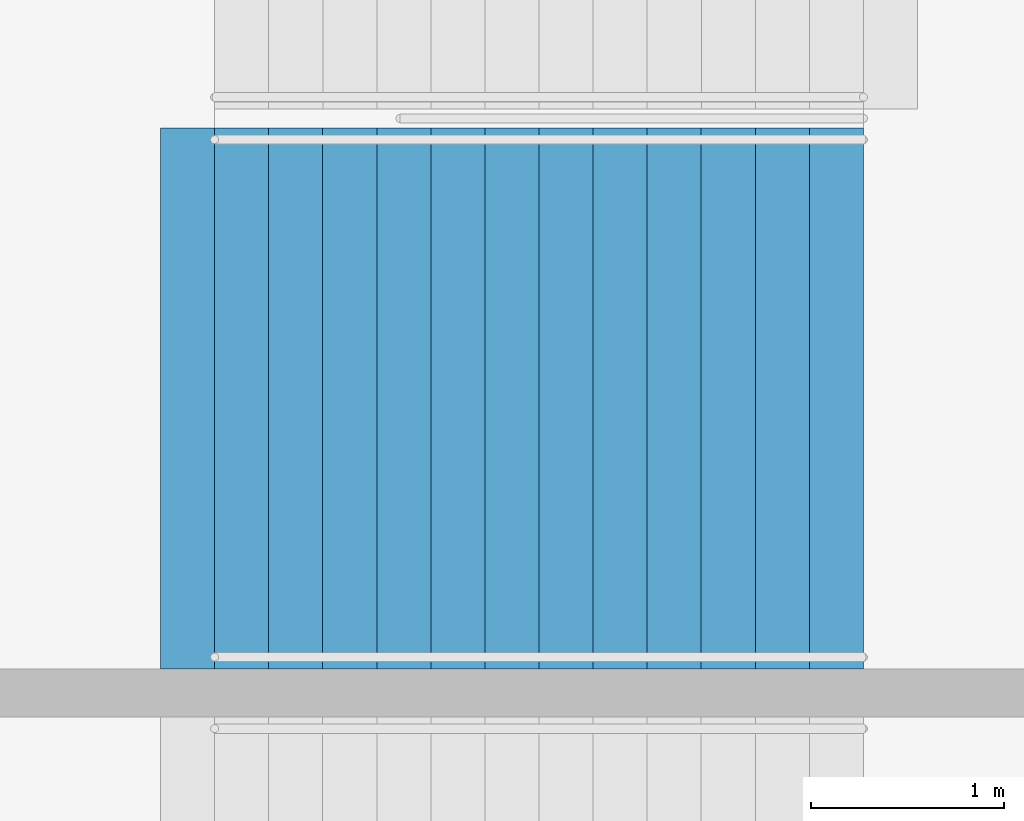
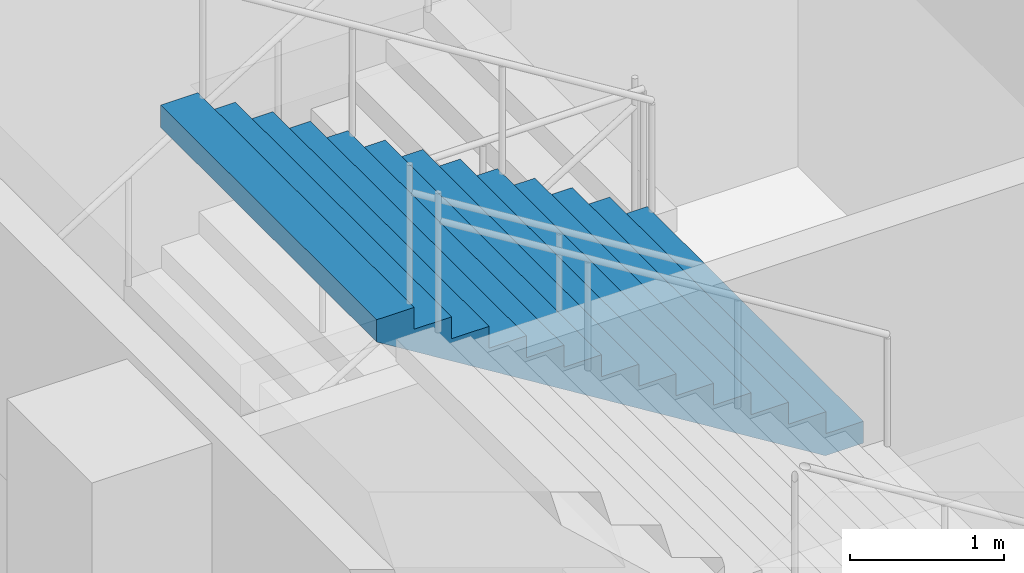
# One storey, part 96 of 175: 1 stair flight, 1 element without a shape of its own.
"""IFC4 building model written with IfcOpenShell, lengths in metres."""

from ifc_helpers import new_model, si_unit, direction, frame, origin, place, context, subcontext, project, spatial, faceted_brep, material, type_object, element, aggregate, save


model = new_model("IFC4")

# Units and contexts
model_context = context("Model", 3, precision=1e-05, world=origin(), true_north=direction((0.0, 1.0)))
body_context = subcontext(model_context, "Body", "Model", "MODEL_VIEW")
ifc_project = project(units=[si_unit("LENGTHUNIT", "METRE"), si_unit("AREAUNIT", "SQUARE_METRE"), si_unit("VOLUMEUNIT", "CUBIC_METRE"), si_unit("PLANEANGLEUNIT", "RADIAN"), si_unit("MASSUNIT", "GRAM", prefix="KILO")], contexts=[model_context])

# Site, building, storey
site_placement = place(None, origin())
site = spatial("IfcSite", under=ifc_project, at=site_placement, CompositionType="ELEMENT")
building_placement = place(site_placement, origin())
building = spatial("IfcBuilding", under=site, at=building_placement, Name="Ogive Plaza Stadium", CompositionType="ELEMENT")
storey_placement = place(building_placement, origin())
storey = spatial("IfcBuildingStorey", under=building, at=storey_placement, Name="L00", CompositionType="ELEMENT", Elevation=0.0)

# Stair, stair flight
ifc_material_1 = material(Name="Concrete C40/50", Category="concrete")
stair_type = type_object("IfcStairType", Name="Exit stair", PredefinedType="STRAIGHT_RUN_STAIR", material=ifc_material_1)
stair_placement = place(storey_placement, origin())
stair = element("IfcStair", 1, at=stair_placement, inside=storey, type_object=stair_type, Name="Exit stair ST08B L00 to L01", PredefinedType="STRAIGHT_RUN_STAIR")
ifc_material_2 = material(Name="Concrete C40/50", Category="concrete")
stair_flight_type = type_object("IfcStairFlightType", Name="Exit stair flight", PredefinedType="STRAIGHT", material=ifc_material_2)
stair_flight_placement = place(storey_placement, frame((79.7099609375, -50.97509765625, 2.25), z_axis=(0.0, 0.0, 1.0), x_axis=(-1.0, 0.0, 0.0)))
stair_flight = element("IfcStairFlight", 2, at=stair_flight_placement, type_object=stair_flight_type, Name="ST08B flight 2", NumberOfRisers=13, NumberOfTreads=12, PredefinedType="STRAIGHT", RiserHeight=0.173076923, TreadLength=0.28, context=body_context, shape_type="Brep", body=[
    faceted_brep([(0.28515625, -1.39990234375, 0.0), (3.639892578125, -1.39990234375, 2.07373046875), (3.639892578125, -1.39990234375, 2.25), (3.360107421875, -1.39990234375, 2.25), (3.360107421875, -1.39990234375, 2.076904296875), (3.080078125, -1.39990234375, 2.076904296875), (3.080078125, -1.39990234375, 1.90380859375), (2.800048828125, -1.39990234375, 1.90380859375), (2.800048828125, -1.39990234375, 1.730712890625), (2.52001953125, -1.39990234375, 1.730712890625), (2.52001953125, -1.39990234375, 1.5576171875), (2.239990234375, -1.39990234375, 1.5576171875), (2.239990234375, -1.39990234375, 1.384521484375), (1.9599609375, -1.39990234375, 1.384521484375), (1.9599609375, -1.39990234375, 1.21142578125), (1.679931640625, -1.39990234375, 1.21142578125), (1.679931640625, -1.39990234375, 1.03857421875), (1.39990234375, -1.39990234375, 1.03857421875), (1.39990234375, -1.39990234375, 0.865478515625), (1.1201171875, -1.39990234375, 0.865478515625), (1.1201171875, -1.39990234375, 0.6923828125), (0.840087890625, -1.39990234375, 0.6923828125), (0.840087890625, -1.39990234375, 0.519287109375), (0.56005859375, -1.39990234375, 0.519287109375), (0.56005859375, -1.39990234375, 0.34619140625), (0.280029296875, -1.39990234375, 0.34619140625), (0.280029296875, -1.39990234375, 0.173095703125), (0.0, -1.39990234375, 0.173095703125), (0.0, -1.39990234375, 0.0), (0.0, 1.39990234375, 0.0), (0.0, 1.39990234375, 0.173095703125), (0.280029296875, 1.39990234375, 0.173095703125), (0.280029296875, 1.39990234375, 0.34619140625), (0.56005859375, 1.39990234375, 0.34619140625), (0.56005859375, 1.39990234375, 0.519287109375), (0.840087890625, 1.39990234375, 0.519287109375), (0.840087890625, 1.39990234375, 0.6923828125), (1.1201171875, 1.39990234375, 0.6923828125), (1.1201171875, 1.39990234375, 0.865478515625), (1.39990234375, 1.39990234375, 0.865478515625), (1.39990234375, 1.39990234375, 1.03857421875), (1.679931640625, 1.39990234375, 1.03857421875), (1.679931640625, 1.39990234375, 1.21142578125), (1.9599609375, 1.39990234375, 1.21142578125), (1.9599609375, 1.39990234375, 1.384521484375), (2.239990234375, 1.39990234375, 1.384521484375), (2.239990234375, 1.39990234375, 1.5576171875), (2.52001953125, 1.39990234375, 1.5576171875), (2.52001953125, 1.39990234375, 1.730712890625), (2.800048828125, 1.39990234375, 1.730712890625), (2.800048828125, 1.39990234375, 1.90380859375), (3.080078125, 1.39990234375, 1.90380859375), (3.080078125, 1.39990234375, 2.076904296875), (3.360107421875, 1.39990234375, 2.076904296875), (3.360107421875, 1.39990234375, 2.25), (3.639892578125, 1.39990234375, 2.25), (3.639892578125, 1.39990234375, 2.07373046875), (0.28515625, 1.39990234375, 0.0), (0.28515625, -1.0888671875, 0.0), (3.639892578125, -1.0888671875, 2.07373046875), (0.28515625, -0.77783203125, 0.0), (3.639892578125, -0.77783203125, 2.07373046875), (0.28515625, -0.466796875, 0.0), (3.639892578125, -0.466796875, 2.07373046875), (0.28515625, -0.155517578125, 0.0), (3.639892578125, -0.155517578125, 2.07373046875), (0.28515625, 0.155517578125, 0.0), (3.639892578125, 0.155517578125, 2.07373046875), (0.28515625, 0.466796875, 0.0), (3.639892578125, 0.466796875, 2.07373046875), (0.28515625, 0.77783203125, 0.0), (3.639892578125, 0.77783203125, 2.07373046875), (0.28515625, 1.0888671875, 0.0), (3.639892578125, 1.0888671875, 2.07373046875), (3.639892578125, -1.0888671875, 2.25), (3.639892578125, -0.77783203125, 2.25), (3.639892578125, -0.466796875, 2.25), (3.639892578125, -0.155517578125, 2.25), (3.639892578125, 0.155517578125, 2.25), (3.639892578125, 0.466796875, 2.25), (3.639892578125, 0.77783203125, 2.25), (3.639892578125, 1.0888671875, 2.25), (3.360107421875, -1.0888671875, 2.25), (3.360107421875, -0.77783203125, 2.25), (3.360107421875, -0.466796875, 2.25), (3.360107421875, -0.155517578125, 2.25), (3.360107421875, 0.155517578125, 2.25), (3.360107421875, 0.466796875, 2.25), (3.360107421875, 0.77783203125, 2.25), (3.360107421875, 1.0888671875, 2.25), (3.360107421875, -1.0888671875, 2.076904296875), (3.360107421875, -0.77783203125, 2.076904296875), (3.360107421875, -0.466796875, 2.076904296875), (3.360107421875, -0.155517578125, 2.076904296875), (3.360107421875, 0.155517578125, 2.076904296875), (3.360107421875, 0.466796875, 2.076904296875), (3.360107421875, 0.77783203125, 2.076904296875), (3.360107421875, 1.0888671875, 2.076904296875), (3.080078125, -1.0888671875, 2.076904296875), (3.080078125, -0.77783203125, 2.076904296875), (3.080078125, -0.466796875, 2.076904296875), (3.080078125, -0.155517578125, 2.076904296875), (3.080078125, 0.155517578125, 2.076904296875), (3.080078125, 0.466796875, 2.076904296875), (3.080078125, 0.77783203125, 2.076904296875), (3.080078125, 1.0888671875, 2.076904296875), (3.080078125, -1.0888671875, 1.90380859375), (3.080078125, -0.77783203125, 1.90380859375), (3.080078125, -0.466796875, 1.90380859375), (3.080078125, -0.155517578125, 1.90380859375), (3.080078125, 0.155517578125, 1.90380859375), (3.080078125, 0.466796875, 1.90380859375), (3.080078125, 0.77783203125, 1.90380859375), (3.080078125, 1.0888671875, 1.90380859375), (2.800048828125, -1.0888671875, 1.90380859375), (2.800048828125, -0.77783203125, 1.90380859375), (2.800048828125, -0.466796875, 1.90380859375), (2.800048828125, -0.155517578125, 1.90380859375), (2.800048828125, 0.155517578125, 1.90380859375), (2.800048828125, 0.466796875, 1.90380859375), (2.800048828125, 0.77783203125, 1.90380859375), (2.800048828125, 1.0888671875, 1.90380859375), (2.800048828125, -1.0888671875, 1.730712890625), (2.800048828125, -0.77783203125, 1.730712890625), (2.800048828125, -0.466796875, 1.730712890625), (2.800048828125, -0.155517578125, 1.730712890625), (2.800048828125, 0.155517578125, 1.730712890625), (2.800048828125, 0.466796875, 1.730712890625), (2.800048828125, 0.77783203125, 1.730712890625), (2.800048828125, 1.0888671875, 1.730712890625), (2.52001953125, -1.0888671875, 1.730712890625), (2.52001953125, -0.77783203125, 1.730712890625), (2.52001953125, -0.466796875, 1.730712890625), (2.52001953125, -0.155517578125, 1.730712890625), (2.52001953125, 0.155517578125, 1.730712890625), (2.52001953125, 0.466796875, 1.730712890625), (2.52001953125, 0.77783203125, 1.730712890625), (2.52001953125, 1.0888671875, 1.730712890625), (2.52001953125, -1.0888671875, 1.5576171875), (2.52001953125, -0.77783203125, 1.5576171875), (2.52001953125, -0.466796875, 1.5576171875), (2.52001953125, -0.155517578125, 1.5576171875), (2.52001953125, 0.155517578125, 1.5576171875), (2.52001953125, 0.466796875, 1.5576171875), (2.52001953125, 0.77783203125, 1.5576171875), (2.52001953125, 1.0888671875, 1.5576171875), (2.239990234375, -1.0888671875, 1.5576171875), (2.239990234375, -0.77783203125, 1.5576171875), (2.239990234375, -0.466796875, 1.5576171875), (2.239990234375, -0.155517578125, 1.5576171875), (2.239990234375, 0.155517578125, 1.5576171875), (2.239990234375, 0.466796875, 1.5576171875), (2.239990234375, 0.77783203125, 1.5576171875), (2.239990234375, 1.0888671875, 1.5576171875), (2.239990234375, -1.0888671875, 1.384521484375), (2.239990234375, -0.77783203125, 1.384521484375), (2.239990234375, -0.466796875, 1.384521484375), (2.239990234375, -0.155517578125, 1.384521484375), (2.239990234375, 0.155517578125, 1.384521484375), (2.239990234375, 0.466796875, 1.384521484375), (2.239990234375, 0.77783203125, 1.384521484375), (2.239990234375, 1.0888671875, 1.384521484375), (1.9599609375, -1.0888671875, 1.384521484375), (1.9599609375, -0.77783203125, 1.384521484375), (1.9599609375, -0.466796875, 1.384521484375), (1.9599609375, -0.155517578125, 1.384521484375), (1.9599609375, 0.155517578125, 1.384521484375), (1.9599609375, 0.466796875, 1.384521484375), (1.9599609375, 0.77783203125, 1.384521484375), (1.9599609375, 1.0888671875, 1.384521484375), (1.9599609375, -1.0888671875, 1.21142578125), (1.9599609375, -0.77783203125, 1.21142578125), (1.9599609375, -0.466796875, 1.21142578125), (1.9599609375, -0.155517578125, 1.21142578125), (1.9599609375, 0.155517578125, 1.21142578125), (1.9599609375, 0.466796875, 1.21142578125), (1.9599609375, 0.77783203125, 1.21142578125), (1.9599609375, 1.0888671875, 1.21142578125), (1.679931640625, -1.0888671875, 1.21142578125), (1.679931640625, -0.77783203125, 1.21142578125), (1.679931640625, -0.466796875, 1.21142578125), (1.679931640625, -0.155517578125, 1.21142578125), (1.679931640625, 0.155517578125, 1.21142578125), (1.679931640625, 0.466796875, 1.21142578125), (1.679931640625, 0.77783203125, 1.21142578125), (1.679931640625, 1.0888671875, 1.21142578125), (1.679931640625, -1.0888671875, 1.03857421875), (1.679931640625, -0.77783203125, 1.03857421875), (1.679931640625, -0.466796875, 1.03857421875), (1.679931640625, -0.155517578125, 1.03857421875), (1.679931640625, 0.155517578125, 1.03857421875), (1.679931640625, 0.466796875, 1.03857421875), (1.679931640625, 0.77783203125, 1.03857421875), (1.679931640625, 1.0888671875, 1.03857421875), (1.39990234375, -1.0888671875, 1.03857421875), (1.39990234375, -0.77783203125, 1.03857421875), (1.39990234375, -0.466796875, 1.03857421875), (1.39990234375, -0.155517578125, 1.03857421875), (1.39990234375, 0.155517578125, 1.03857421875), (1.39990234375, 0.466796875, 1.03857421875), (1.39990234375, 0.77783203125, 1.03857421875), (1.39990234375, 1.0888671875, 1.03857421875), (1.39990234375, -1.0888671875, 0.865478515625), (1.39990234375, -0.77783203125, 0.865478515625), (1.39990234375, -0.466796875, 0.865478515625), (1.39990234375, -0.155517578125, 0.865478515625), (1.39990234375, 0.155517578125, 0.865478515625), (1.39990234375, 0.466796875, 0.865478515625), (1.39990234375, 0.77783203125, 0.865478515625), (1.39990234375, 1.0888671875, 0.865478515625), (1.1201171875, -1.0888671875, 0.865478515625), (1.1201171875, -0.77783203125, 0.865478515625), (1.1201171875, -0.466796875, 0.865478515625), (1.1201171875, -0.155517578125, 0.865478515625), (1.1201171875, 0.155517578125, 0.865478515625), (1.1201171875, 0.466796875, 0.865478515625), (1.1201171875, 0.77783203125, 0.865478515625), (1.1201171875, 1.0888671875, 0.865478515625), (1.1201171875, -1.0888671875, 0.6923828125), (1.1201171875, -0.77783203125, 0.6923828125), (1.1201171875, -0.466796875, 0.6923828125), (1.1201171875, -0.155517578125, 0.6923828125), (1.1201171875, 0.155517578125, 0.6923828125), (1.1201171875, 0.466796875, 0.6923828125), (1.1201171875, 0.77783203125, 0.6923828125), (1.1201171875, 1.0888671875, 0.6923828125), (0.840087890625, -1.0888671875, 0.6923828125), (0.840087890625, -0.77783203125, 0.6923828125), (0.840087890625, -0.466796875, 0.6923828125), (0.840087890625, -0.155517578125, 0.6923828125), (0.840087890625, 0.155517578125, 0.6923828125), (0.840087890625, 0.466796875, 0.6923828125), (0.840087890625, 0.77783203125, 0.6923828125), (0.840087890625, 1.0888671875, 0.6923828125), (0.840087890625, -1.0888671875, 0.519287109375), (0.840087890625, -0.77783203125, 0.519287109375), (0.840087890625, -0.466796875, 0.519287109375), (0.840087890625, -0.155517578125, 0.519287109375), (0.840087890625, 0.155517578125, 0.519287109375), (0.840087890625, 0.466796875, 0.519287109375), (0.840087890625, 0.77783203125, 0.519287109375), (0.840087890625, 1.0888671875, 0.519287109375), (0.56005859375, -1.0888671875, 0.519287109375), (0.56005859375, -0.77783203125, 0.519287109375), (0.56005859375, -0.466796875, 0.519287109375), (0.56005859375, -0.155517578125, 0.519287109375), (0.56005859375, 0.155517578125, 0.519287109375), (0.56005859375, 0.466796875, 0.519287109375), (0.56005859375, 0.77783203125, 0.519287109375), (0.56005859375, 1.0888671875, 0.519287109375), (0.56005859375, -1.0888671875, 0.34619140625), (0.56005859375, -0.77783203125, 0.34619140625), (0.56005859375, -0.466796875, 0.34619140625), (0.56005859375, -0.155517578125, 0.34619140625), (0.56005859375, 0.155517578125, 0.34619140625), (0.56005859375, 0.466796875, 0.34619140625), (0.56005859375, 0.77783203125, 0.34619140625), (0.56005859375, 1.0888671875, 0.34619140625), (0.280029296875, -1.0888671875, 0.34619140625), (0.280029296875, -0.77783203125, 0.34619140625), (0.280029296875, -0.466796875, 0.34619140625), (0.280029296875, -0.155517578125, 0.34619140625), (0.280029296875, 0.155517578125, 0.34619140625), (0.280029296875, 0.466796875, 0.34619140625), (0.280029296875, 0.77783203125, 0.34619140625), (0.280029296875, 1.0888671875, 0.34619140625), (0.280029296875, -1.0888671875, 0.173095703125), (0.280029296875, -0.77783203125, 0.173095703125), (0.280029296875, -0.466796875, 0.173095703125), (0.280029296875, -0.155517578125, 0.173095703125), (0.280029296875, 0.155517578125, 0.173095703125), (0.280029296875, 0.466796875, 0.173095703125), (0.280029296875, 0.77783203125, 0.173095703125), (0.280029296875, 1.0888671875, 0.173095703125), (0.0, -1.0888671875, 0.173095703125), (0.0, -0.77783203125, 0.173095703125), (0.0, -0.466796875, 0.173095703125), (0.0, -0.155517578125, 0.173095703125), (0.0, 0.155517578125, 0.173095703125), (0.0, 0.466796875, 0.173095703125), (0.0, 0.77783203125, 0.173095703125), (0.0, 1.0888671875, 0.173095703125), (0.0, -1.0888671875, 0.0), (0.0, -0.77783203125, 0.0), (0.0, -0.466796875, 0.0), (0.0, -0.155517578125, 0.0), (0.0, 0.155517578125, 0.0), (0.0, 0.466796875, 0.0), (0.0, 0.77783203125, 0.0), (0.0, 1.0888671875, 0.0)], [[[0, 1, 2, 3, 4, 5, 6, 7, 8, 9, 10, 11, 12, 13, 14, 15, 16, 17, 18, 19, 20, 21, 22, 23, 24, 25, 26, 27, 28]], [[29, 30, 31, 32, 33, 34, 35, 36, 37, 38, 39, 40, 41, 42, 43, 44, 45, 46, 47, 48, 49, 50, 51, 52, 53, 54, 55, 56, 57]], [[0, 58, 59, 1]], [[58, 60, 61, 59]], [[60, 62, 63, 61]], [[62, 64, 65, 63]], [[64, 66, 67, 65]], [[66, 68, 69, 67]], [[68, 70, 71, 69]], [[70, 72, 73, 71]], [[72, 57, 56, 73]], [[1, 59, 74, 2]], [[59, 61, 75, 74]], [[61, 63, 76, 75]], [[63, 65, 77, 76]], [[65, 67, 78, 77]], [[67, 69, 79, 78]], [[69, 71, 80, 79]], [[71, 73, 81, 80]], [[73, 56, 55, 81]], [[2, 74, 82, 3]], [[74, 75, 83, 82]], [[75, 76, 84, 83]], [[76, 77, 85, 84]], [[77, 78, 86, 85]], [[78, 79, 87, 86]], [[79, 80, 88, 87]], [[80, 81, 89, 88]], [[81, 55, 54, 89]], [[3, 82, 90, 4]], [[82, 83, 91, 90]], [[83, 84, 92, 91]], [[84, 85, 93, 92]], [[85, 86, 94, 93]], [[86, 87, 95, 94]], [[87, 88, 96, 95]], [[88, 89, 97, 96]], [[89, 54, 53, 97]], [[4, 90, 98, 5]], [[90, 91, 99, 98]], [[91, 92, 100, 99]], [[92, 93, 101, 100]], [[93, 94, 102, 101]], [[94, 95, 103, 102]], [[95, 96, 104, 103]], [[96, 97, 105, 104]], [[97, 53, 52, 105]], [[5, 98, 106, 6]], [[98, 99, 107, 106]], [[99, 100, 108, 107]], [[100, 101, 109, 108]], [[101, 102, 110, 109]], [[102, 103, 111, 110]], [[103, 104, 112, 111]], [[104, 105, 113, 112]], [[105, 52, 51, 113]], [[6, 106, 114, 7]], [[106, 107, 115, 114]], [[107, 108, 116, 115]], [[108, 109, 117, 116]], [[109, 110, 118, 117]], [[110, 111, 119, 118]], [[111, 112, 120, 119]], [[112, 113, 121, 120]], [[113, 51, 50, 121]], [[7, 114, 122, 8]], [[114, 115, 123, 122]], [[115, 116, 124, 123]], [[116, 117, 125, 124]], [[117, 118, 126, 125]], [[118, 119, 127, 126]], [[119, 120, 128, 127]], [[120, 121, 129, 128]], [[121, 50, 49, 129]], [[8, 122, 130, 9]], [[122, 123, 131, 130]], [[123, 124, 132, 131]], [[124, 125, 133, 132]], [[125, 126, 134, 133]], [[126, 127, 135, 134]], [[127, 128, 136, 135]], [[128, 129, 137, 136]], [[129, 49, 48, 137]], [[9, 130, 138, 10]], [[130, 131, 139, 138]], [[131, 132, 140, 139]], [[132, 133, 141, 140]], [[133, 134, 142, 141]], [[134, 135, 143, 142]], [[135, 136, 144, 143]], [[136, 137, 145, 144]], [[137, 48, 47, 145]], [[10, 138, 146, 11]], [[138, 139, 147, 146]], [[139, 140, 148, 147]], [[140, 141, 149, 148]], [[141, 142, 150, 149]], [[142, 143, 151, 150]], [[143, 144, 152, 151]], [[144, 145, 153, 152]], [[145, 47, 46, 153]], [[11, 146, 154, 12]], [[146, 147, 155, 154]], [[147, 148, 156, 155]], [[148, 149, 157, 156]], [[149, 150, 158, 157]], [[150, 151, 159, 158]], [[151, 152, 160, 159]], [[152, 153, 161, 160]], [[153, 46, 45, 161]], [[12, 154, 162, 13]], [[154, 155, 163, 162]], [[155, 156, 164, 163]], [[156, 157, 165, 164]], [[157, 158, 166, 165]], [[158, 159, 167, 166]], [[159, 160, 168, 167]], [[160, 161, 169, 168]], [[161, 45, 44, 169]], [[13, 162, 170, 14]], [[162, 163, 171, 170]], [[163, 164, 172, 171]], [[164, 165, 173, 172]], [[165, 166, 174, 173]], [[166, 167, 175, 174]], [[167, 168, 176, 175]], [[168, 169, 177, 176]], [[169, 44, 43, 177]], [[14, 170, 178, 15]], [[170, 171, 179, 178]], [[171, 172, 180, 179]], [[172, 173, 181, 180]], [[173, 174, 182, 181]], [[174, 175, 183, 182]], [[175, 176, 184, 183]], [[176, 177, 185, 184]], [[177, 43, 42, 185]], [[15, 178, 186, 16]], [[178, 179, 187, 186]], [[179, 180, 188, 187]], [[180, 181, 189, 188]], [[181, 182, 190, 189]], [[182, 183, 191, 190]], [[183, 184, 192, 191]], [[184, 185, 193, 192]], [[185, 42, 41, 193]], [[16, 186, 194, 17]], [[186, 187, 195, 194]], [[187, 188, 196, 195]], [[188, 189, 197, 196]], [[189, 190, 198, 197]], [[190, 191, 199, 198]], [[191, 192, 200, 199]], [[192, 193, 201, 200]], [[193, 41, 40, 201]], [[17, 194, 202, 18]], [[194, 195, 203, 202]], [[195, 196, 204, 203]], [[196, 197, 205, 204]], [[197, 198, 206, 205]], [[198, 199, 207, 206]], [[199, 200, 208, 207]], [[200, 201, 209, 208]], [[201, 40, 39, 209]], [[18, 202, 210, 19]], [[202, 203, 211, 210]], [[203, 204, 212, 211]], [[204, 205, 213, 212]], [[205, 206, 214, 213]], [[206, 207, 215, 214]], [[207, 208, 216, 215]], [[208, 209, 217, 216]], [[209, 39, 38, 217]], [[19, 210, 218, 20]], [[210, 211, 219, 218]], [[211, 212, 220, 219]], [[212, 213, 221, 220]], [[213, 214, 222, 221]], [[214, 215, 223, 222]], [[215, 216, 224, 223]], [[216, 217, 225, 224]], [[217, 38, 37, 225]], [[20, 218, 226, 21]], [[218, 219, 227, 226]], [[219, 220, 228, 227]], [[220, 221, 229, 228]], [[221, 222, 230, 229]], [[222, 223, 231, 230]], [[223, 224, 232, 231]], [[224, 225, 233, 232]], [[225, 37, 36, 233]], [[21, 226, 234, 22]], [[226, 227, 235, 234]], [[227, 228, 236, 235]], [[228, 229, 237, 236]], [[229, 230, 238, 237]], [[230, 231, 239, 238]], [[231, 232, 240, 239]], [[232, 233, 241, 240]], [[233, 36, 35, 241]], [[22, 234, 242, 23]], [[234, 235, 243, 242]], [[235, 236, 244, 243]], [[236, 237, 245, 244]], [[237, 238, 246, 245]], [[238, 239, 247, 246]], [[239, 240, 248, 247]], [[240, 241, 249, 248]], [[241, 35, 34, 249]], [[23, 242, 250, 24]], [[242, 243, 251, 250]], [[243, 244, 252, 251]], [[244, 245, 253, 252]], [[245, 246, 254, 253]], [[246, 247, 255, 254]], [[247, 248, 256, 255]], [[248, 249, 257, 256]], [[249, 34, 33, 257]], [[24, 250, 258, 25]], [[250, 251, 259, 258]], [[251, 252, 260, 259]], [[252, 253, 261, 260]], [[253, 254, 262, 261]], [[254, 255, 263, 262]], [[255, 256, 264, 263]], [[256, 257, 265, 264]], [[257, 33, 32, 265]], [[25, 258, 266, 26]], [[258, 259, 267, 266]], [[259, 260, 268, 267]], [[260, 261, 269, 268]], [[261, 262, 270, 269]], [[262, 263, 271, 270]], [[263, 264, 272, 271]], [[264, 265, 273, 272]], [[265, 32, 31, 273]], [[26, 266, 274, 27]], [[266, 267, 275, 274]], [[267, 268, 276, 275]], [[268, 269, 277, 276]], [[269, 270, 278, 277]], [[270, 271, 279, 278]], [[271, 272, 280, 279]], [[272, 273, 281, 280]], [[273, 31, 30, 281]], [[27, 274, 282, 28]], [[274, 275, 283, 282]], [[275, 276, 284, 283]], [[276, 277, 285, 284]], [[277, 278, 286, 285]], [[278, 279, 287, 286]], [[279, 280, 288, 287]], [[280, 281, 289, 288]], [[281, 30, 29, 289]], [[28, 282, 58, 0]], [[282, 283, 60, 58]], [[283, 284, 62, 60]], [[284, 285, 64, 62]], [[285, 286, 66, 64]], [[286, 287, 68, 66]], [[287, 288, 70, 68]], [[288, 289, 72, 70]], [[289, 29, 57, 72]]]),
])
aggregate(stair, [stair_flight])

save(model, "model.ifc")
